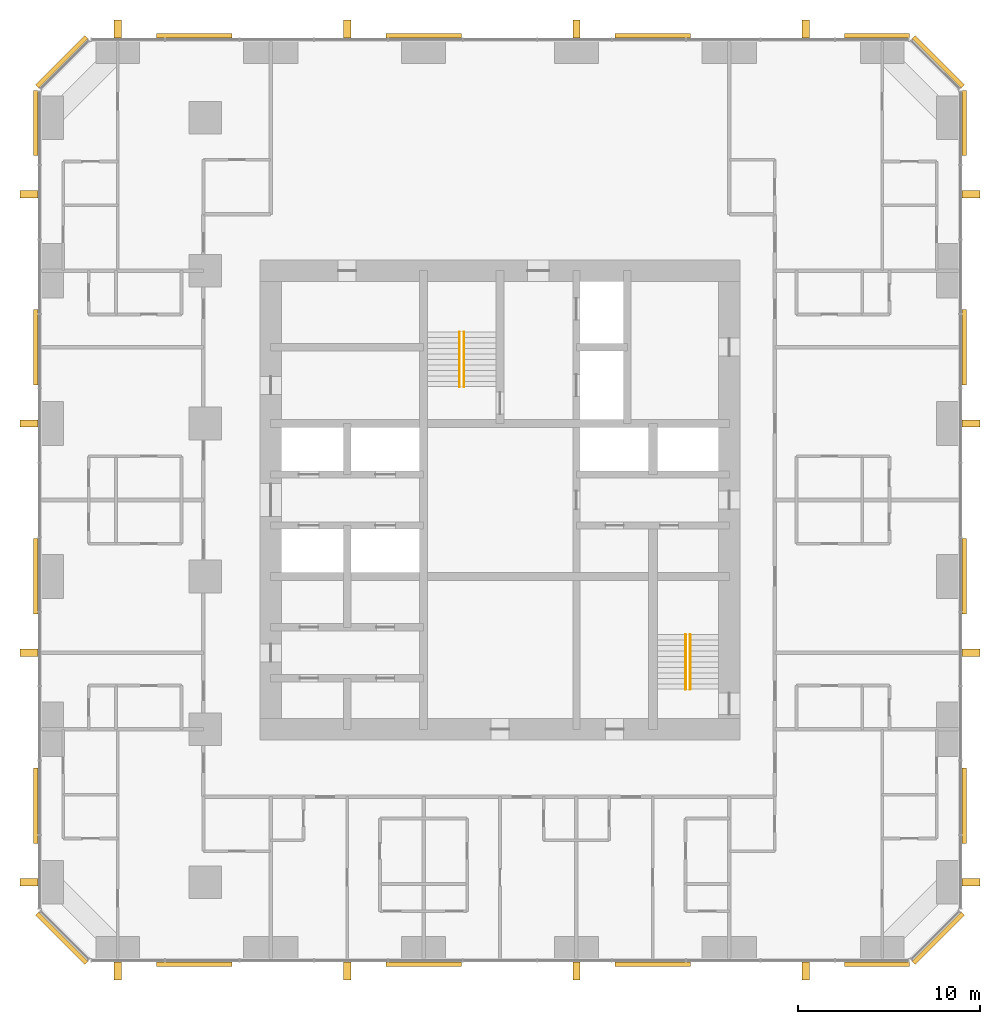
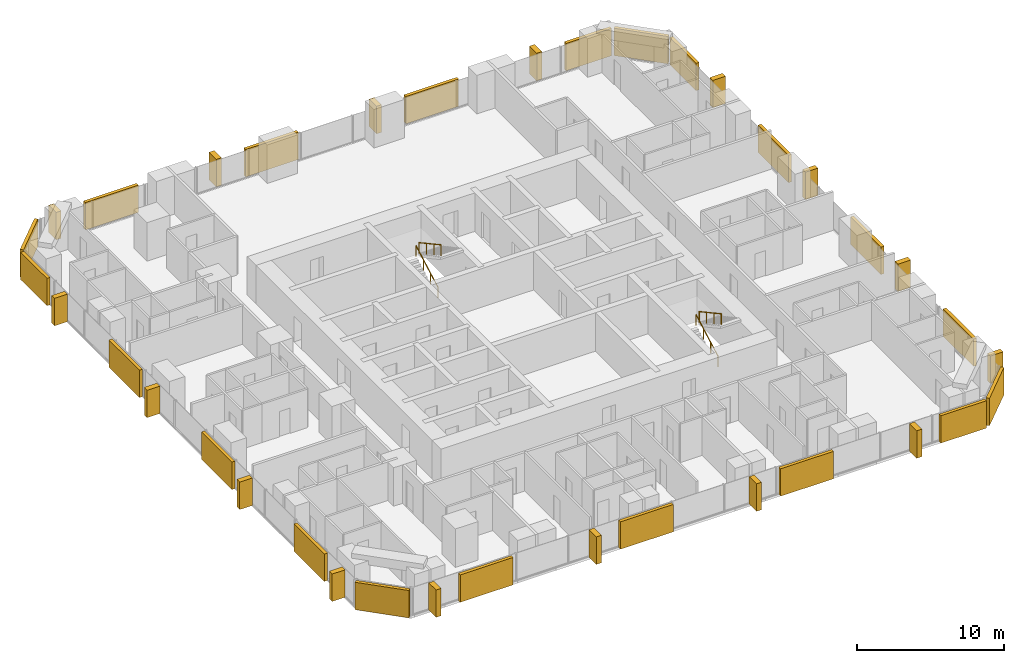
# One storey, part 13 of 13: 20 coverings, 16 shading devices, 4 railings.
"""IFC4 building model written with IfcOpenShell, lengths in metres."""

from ifc_helpers import new_model, si_unit, direction, frame, origin, origin_2d, place, context, subcontext, project, spatial, rectangle, circle, extrude, material, layer, layer_set, type_object, element, save


model = new_model("IFC4")

# Units and contexts
model_context = context("Model", 3, precision=1e-05, world=origin(), true_north=direction((0.0, 1.0)))
body_context = subcontext(model_context, "Body", "Model", "MODEL_VIEW")
ifc_project = project(units=[si_unit("LENGTHUNIT", "METRE"), si_unit("AREAUNIT", "SQUARE_METRE"), si_unit("VOLUMEUNIT", "CUBIC_METRE"), si_unit("PLANEANGLEUNIT", "RADIAN"), si_unit("MASSUNIT", "GRAM", prefix="KILO")], contexts=[model_context])

# Site, building, storey
site_placement = place(None, origin())
site = spatial("IfcSite", under=ifc_project, at=site_placement, CompositionType="ELEMENT")
building_placement = place(site_placement, origin())
building = spatial("IfcBuilding", under=site, at=building_placement, Name="Dunama Terrace Hotel", CompositionType="ELEMENT")
storey_placement = place(building_placement, frame((0.0, 0.0, 216.60009765625)))
storey = spatial("IfcBuildingStorey", under=building, at=storey_placement, Name="L56", CompositionType="ELEMENT", Elevation=216.60009765625)

# Railings
ifc_material_1 = material(Name="Stainless steel handrail", Category="steel")
railing_type = type_object("IfcRailingType", Name="Stair handrail 900", PredefinedType="HANDRAIL", material=ifc_material_1)
railing_1_placement = place(storey_placement, frame((27.175048828125, 35.625, 0.16357421875)))
element("IfcRailing", 1, at=railing_1_placement, inside=storey, type_object=railing_type, Name="Handrail ST1 L56", PredefinedType="HANDRAIL", context=body_context, shape_type="SweptSolid", body=[
    extrude(circle(Radius=0.02392578125, at=origin_2d()), frame((0.0, 0.0, 0.8759765625), z_axis=(0.0, 0.877911954615, 0.47882209634), x_axis=(-1.0, 0.0, 0.0)), (0.0, 0.0, 1.0), 3.417236328125),
    extrude(circle(Radius=0.02099609375, at=origin_2d()), origin(), (0.0, 0.0, 1.0), 0.851806640625),
    extrude(circle(Radius=0.02099609375, at=origin_2d()), frame((0.0, 1.0, 0.54541015625)), (0.0, 0.0, 1.0), 0.851806640625),
    extrude(circle(Radius=0.02099609375, at=origin_2d()), frame((0.0, 2.0, 1.0908203125)), (0.0, 0.0, 1.0), 0.851806640625),
    extrude(circle(Radius=0.02099609375, at=origin_2d()), frame((0.0, 3.0, 1.63623046875)), (0.0, 0.0, 1.0), 0.851806640625),
])
railing_2_placement = place(storey_placement, frame((27.425048828125, 38.625, 1.963623046875)))
element("IfcRailing", 2, at=railing_2_placement, inside=storey, type_object=railing_type, Name="Handrail ST1 L56", PredefinedType="HANDRAIL", context=body_context, shape_type="SweptSolid", body=[
    extrude(circle(Radius=0.02392578125, at=origin_2d()), frame((0.0, 0.0, 0.8759765625), z_axis=(0.0, -0.877911954615, 0.47882209634), x_axis=(1.0, 0.0, 0.0)), (0.0, 0.0, 1.0), 3.417236328125),
    extrude(circle(Radius=0.02099609375, at=origin_2d()), origin(), (0.0, 0.0, 1.0), 0.851806640625),
    extrude(circle(Radius=0.02099609375, at=origin_2d()), frame((0.0, -1.0, 0.54541015625)), (0.0, 0.0, 1.0), 0.851806640625),
    extrude(circle(Radius=0.02099609375, at=origin_2d()), frame((0.0, -2.0, 1.0908203125)), (0.0, 0.0, 1.0), 0.851806640625),
    extrude(circle(Radius=0.02099609375, at=origin_2d()), frame((0.0, -3.0, 1.63623046875)), (0.0, 0.0, 1.0), 0.851806640625),
])
railing_3_placement = place(storey_placement, frame((39.60009765625, 19.0, 0.16357421875)))
element("IfcRailing", 3, at=railing_3_placement, inside=storey, type_object=railing_type, Name="Handrail ST2 L56", PredefinedType="HANDRAIL", context=body_context, shape_type="SweptSolid", body=[
    extrude(circle(Radius=0.02392578125, at=origin_2d()), frame((0.0, 0.0, 0.8759765625), z_axis=(0.0, 0.877911954615, 0.47882209634), x_axis=(-1.0, 0.0, 0.0)), (0.0, 0.0, 1.0), 3.417236328125),
    extrude(circle(Radius=0.02099609375, at=origin_2d()), origin(), (0.0, 0.0, 1.0), 0.851806640625),
    extrude(circle(Radius=0.02099609375, at=origin_2d()), frame((0.0, 1.0, 0.54541015625)), (0.0, 0.0, 1.0), 0.851806640625),
    extrude(circle(Radius=0.02099609375, at=origin_2d()), frame((0.0, 2.0, 1.0908203125)), (0.0, 0.0, 1.0), 0.851806640625),
    extrude(circle(Radius=0.02099609375, at=origin_2d()), frame((0.0, 3.0, 1.63623046875)), (0.0, 0.0, 1.0), 0.851806640625),
])
railing_4_placement = place(storey_placement, frame((39.85009765625, 22.0, 1.963623046875)))
element("IfcRailing", 4, at=railing_4_placement, inside=storey, type_object=railing_type, Name="Handrail ST2 L56", PredefinedType="HANDRAIL", context=body_context, shape_type="SweptSolid", body=[
    extrude(circle(Radius=0.02392578125, at=origin_2d()), frame((0.0, 0.0, 0.8759765625), z_axis=(0.0, -0.877911954615, 0.47882209634), x_axis=(1.0, 0.0, 0.0)), (0.0, 0.0, 1.0), 3.417236328125),
    extrude(circle(Radius=0.02099609375, at=origin_2d()), origin(), (0.0, 0.0, 1.0), 0.851806640625),
    extrude(circle(Radius=0.02099609375, at=origin_2d()), frame((0.0, -1.0, 0.54541015625)), (0.0, 0.0, 1.0), 0.851806640625),
    extrude(circle(Radius=0.02099609375, at=origin_2d()), frame((0.0, -2.0, 1.0908203125)), (0.0, 0.0, 1.0), 0.851806640625),
    extrude(circle(Radius=0.02099609375, at=origin_2d()), frame((0.0, -3.0, 1.63623046875)), (0.0, 0.0, 1.0), 0.851806640625),
])

# Coverings
ifc_material_2 = material(Name="Warm reconstituted stone panel", Category="masonry")
ifc_layer_1 = layer(ifc_material_2, 0.25)
ifc_layer_set_1 = layer_set([ifc_layer_1], Name="Stone diagonal panel")
covering_type = type_object("IfcCoveringType", Name="Stone diagonal panel", PredefinedType="CLADDING", material=ifc_layer_set_1)
for number, where, z_axis, x_axis, name in (
    (5, (12.60009765625, 3.876953125, 0.001953125), (0.0, 0.0, 1.0), (1.0, 0.0, 0.0), "Stone diagonal panel L56"),
    (6, (25.199951171875, 3.876953125, 0.001953125), (0.0, 0.0, 1.0), (1.0, 0.0, 0.0), "Stone diagonal panel L56"),
    (7, (37.800048828125, 3.876953125, 0.001953125), (0.0, 0.0, 1.0), (1.0, 0.0, 0.0), "Stone diagonal panel L56"),
):
    element("IfcCovering", number, at=place(storey_placement, frame(where, z_axis=z_axis, x_axis=x_axis)), inside=storey, type_object=covering_type, Name=name, PredefinedType="CLADDING", context=body_context, shape_type="SweptSolid", body=[
        extrude(rectangle(XDim=4.14990234375, YDim=0.25, at=origin_2d()), origin(), (0.0, 0.0, 1.0), 2.27490234375),
    ])
covering_1_placement = place(storey_placement, frame((50.110107421875, 3.876953125, 0.001953125), z_axis=(0.0, 0.0, 1.0), x_axis=(1.0, 0.0, 0.0)))
element("IfcCovering", 8, at=covering_1_placement, inside=storey, type_object=covering_type, Name="Stone diagonal panel L56", PredefinedType="CLADDING", context=body_context, shape_type="SweptSolid", body=[
    extrude(rectangle(XDim=3.570068359375, YDim=0.25, at=origin_2d()), origin(), (0.0, 0.0, 1.0), 2.27490234375),
])
covering_2_placement = place(storey_placement, frame((53.47900390625, 5.321044921875, 0.001953125), z_axis=(0.0, 0.0, 1.0), x_axis=(0.707106781187, 0.707106781187, 0.0)))
element("IfcCovering", 9, at=covering_2_placement, inside=storey, type_object=covering_type, Name="Stone diagonal panel L56", PredefinedType="CLADDING", context=body_context, shape_type="SweptSolid", body=[
    extrude(rectangle(XDim=3.808349609375, YDim=0.25, at=origin_2d()), origin(), (0.0, 0.0, 1.0), 2.27490234375),
])
for number, where, z_axis, x_axis, name in (
    (10, (54.923095703125, 12.60009765625, 0.001953125), (0.0, 0.0, 1.0), (0.0, 1.0, 0.0), "Stone diagonal panel L56"),
    (11, (54.923095703125, 25.199951171875, 0.001953125), (0.0, 0.0, 1.0), (0.0, 1.0, 0.0), "Stone diagonal panel L56"),
    (12, (54.923095703125, 37.800048828125, 0.001953125), (0.0, 0.0, 1.0), (0.0, 1.0, 0.0), "Stone diagonal panel L56"),
):
    element("IfcCovering", number, at=place(storey_placement, frame(where, z_axis=z_axis, x_axis=x_axis)), inside=storey, type_object=covering_type, Name=name, PredefinedType="CLADDING", context=body_context, shape_type="SweptSolid", body=[
        extrude(rectangle(XDim=4.14990234375, YDim=0.25, at=origin_2d()), origin(), (0.0, 0.0, 1.0), 2.27490234375),
    ])
covering_3_placement = place(storey_placement, frame((54.923095703125, 50.110107421875, 0.001953125), z_axis=(0.0, 0.0, 1.0), x_axis=(0.0, 1.0, 0.0)))
element("IfcCovering", 13, at=covering_3_placement, inside=storey, type_object=covering_type, Name="Stone diagonal panel L56", PredefinedType="CLADDING", context=body_context, shape_type="SweptSolid", body=[
    extrude(rectangle(XDim=3.570068359375, YDim=0.25, at=origin_2d()), origin(), (0.0, 0.0, 1.0), 2.27490234375),
])
covering_4_placement = place(storey_placement, frame((53.47900390625, 53.47900390625, 0.001953125), z_axis=(0.0, 0.0, 1.0), x_axis=(-0.707106781187, 0.707106781187, 0.0)))
element("IfcCovering", 14, at=covering_4_placement, inside=storey, type_object=covering_type, Name="Stone diagonal panel L56", PredefinedType="CLADDING", context=body_context, shape_type="SweptSolid", body=[
    extrude(rectangle(XDim=3.808349609375, YDim=0.25, at=origin_2d()), origin(), (0.0, 0.0, 1.0), 2.27490234375),
])
covering_5_placement = place(storey_placement, frame((50.110107421875, 54.923095703125, 0.001953125), z_axis=(0.0, 0.0, 1.0), x_axis=(-1.0, 0.0, 0.0)))
element("IfcCovering", 15, at=covering_5_placement, inside=storey, type_object=covering_type, Name="Stone diagonal panel L56", PredefinedType="CLADDING", context=body_context, shape_type="SweptSolid", body=[
    extrude(rectangle(XDim=3.570068359375, YDim=0.25, at=origin_2d()), origin(), (0.0, 0.0, 1.0), 2.27490234375),
])
for number, where, z_axis, x_axis, name in (
    (16, (37.800048828125, 54.923095703125, 0.001953125), (0.0, 0.0, 1.0), (-1.0, 0.0, 0.0), "Stone diagonal panel L56"),
    (17, (25.199951171875, 54.923095703125, 0.001953125), (0.0, 0.0, 1.0), (-1.0, 0.0, 0.0), "Stone diagonal panel L56"),
    (18, (12.60009765625, 54.923095703125, 0.001953125), (0.0, 0.0, 1.0), (-1.0, 0.0, 0.0), "Stone diagonal panel L56"),
):
    element("IfcCovering", number, at=place(storey_placement, frame(where, z_axis=z_axis, x_axis=x_axis)), inside=storey, type_object=covering_type, Name=name, PredefinedType="CLADDING", context=body_context, shape_type="SweptSolid", body=[
        extrude(rectangle(XDim=4.14990234375, YDim=0.25, at=origin_2d()), origin(), (0.0, 0.0, 1.0), 2.27490234375),
    ])
covering_6_placement = place(storey_placement, frame((5.321044921875, 53.47900390625, 0.001953125), z_axis=(0.0, 0.0, 1.0), x_axis=(-0.707106781187, -0.707106781187, 0.0)))
element("IfcCovering", 19, at=covering_6_placement, inside=storey, type_object=covering_type, Name="Stone diagonal panel L56", PredefinedType="CLADDING", context=body_context, shape_type="SweptSolid", body=[
    extrude(rectangle(XDim=3.808349609375, YDim=0.25, at=origin_2d()), origin(), (0.0, 0.0, 1.0), 2.27490234375),
])
covering_7_placement = place(storey_placement, frame((3.876953125, 50.110107421875, 0.001953125), z_axis=(0.0, 0.0, 1.0), x_axis=(0.0, -1.0, 0.0)))
element("IfcCovering", 20, at=covering_7_placement, inside=storey, type_object=covering_type, Name="Stone diagonal panel L56", PredefinedType="CLADDING", context=body_context, shape_type="SweptSolid", body=[
    extrude(rectangle(XDim=3.570068359375, YDim=0.25, at=origin_2d()), origin(), (0.0, 0.0, 1.0), 2.27490234375),
])
for number, where, z_axis, x_axis, name in (
    (21, (3.876953125, 37.800048828125, 0.001953125), (0.0, 0.0, 1.0), (0.0, -1.0, 0.0), "Stone diagonal panel L56"),
    (22, (3.876953125, 25.199951171875, 0.001953125), (0.0, 0.0, 1.0), (0.0, -1.0, 0.0), "Stone diagonal panel L56"),
    (23, (3.876953125, 12.60009765625, 0.001953125), (0.0, 0.0, 1.0), (0.0, -1.0, 0.0), "Stone diagonal panel L56"),
):
    element("IfcCovering", number, at=place(storey_placement, frame(where, z_axis=z_axis, x_axis=x_axis)), inside=storey, type_object=covering_type, Name=name, PredefinedType="CLADDING", context=body_context, shape_type="SweptSolid", body=[
        extrude(rectangle(XDim=4.14990234375, YDim=0.25, at=origin_2d()), origin(), (0.0, 0.0, 1.0), 2.27490234375),
    ])
covering_8_placement = place(storey_placement, frame((5.321044921875, 5.321044921875, 0.001953125), z_axis=(0.0, 0.0, 1.0), x_axis=(0.707106781187, -0.707106781187, 0.0)))
element("IfcCovering", 24, at=covering_8_placement, inside=storey, type_object=covering_type, Name="Stone diagonal panel L56", PredefinedType="CLADDING", context=body_context, shape_type="SweptSolid", body=[
    extrude(rectangle(XDim=3.808349609375, YDim=0.25, at=origin_2d()), origin(), (0.0, 0.0, 1.0), 2.27490234375),
])

# Shading devices
ifc_material_3 = material(Name="Warm reconstituted stone fin", Category="masonry")
ifc_layer_2 = layer(ifc_material_3, 0.39990234375)
ifc_layer_set_2 = layer_set([ifc_layer_2], Name="Warm stone fin 400x1000")
shading_device_type = type_object("IfcShadingDeviceType", Name="Warm stone fin 400x1000", PredefinedType="USERDEFINED", material=ifc_layer_set_2)
for number, where, z_axis, x_axis, name in (
    (25, (8.39990234375, 3.52197265625, 0.0), (0.0, 0.0, 1.0), (1.0, 0.0, 0.0), "Stone fin"),
    (26, (21.0, 3.52197265625, 0.0), (0.0, 0.0, 1.0), (1.0, 0.0, 0.0), "Stone fin"),
    (27, (33.60009765625, 3.52197265625, 0.0), (0.0, 0.0, 1.0), (1.0, 0.0, 0.0), "Stone fin"),
    (28, (46.199951171875, 3.52197265625, 0.0), (0.0, 0.0, 1.0), (1.0, 0.0, 0.0), "Stone fin"),
    (29, (55.278076171875, 8.39990234375, 0.0), (0.0, 0.0, 1.0), (0.0, 1.0, 0.0), "Stone fin"),
    (30, (55.278076171875, 21.0, 0.0), (0.0, 0.0, 1.0), (0.0, 1.0, 0.0), "Stone fin"),
    (31, (55.278076171875, 33.60009765625, 0.0), (0.0, 0.0, 1.0), (0.0, 1.0, 0.0), "Stone fin"),
    (32, (55.278076171875, 46.199951171875, 0.0), (0.0, 0.0, 1.0), (0.0, 1.0, 0.0), "Stone fin"),
    (33, (46.199951171875, 55.278076171875, 0.0), (0.0, 0.0, 1.0), (-1.0, 0.0, 0.0), "Stone fin"),
    (34, (33.60009765625, 55.278076171875, 0.0), (0.0, 0.0, 1.0), (-1.0, 0.0, 0.0), "Stone fin"),
    (35, (21.0, 55.278076171875, 0.0), (0.0, 0.0, 1.0), (-1.0, 0.0, 0.0), "Stone fin"),
    (36, (8.39990234375, 55.278076171875, 0.0), (0.0, 0.0, 1.0), (-1.0, 0.0, 0.0), "Stone fin"),
    (37, (3.52197265625, 46.199951171875, 0.0), (0.0, 0.0, 1.0), (0.0, -1.0, 0.0), "Stone fin"),
    (38, (3.52197265625, 33.60009765625, 0.0), (0.0, 0.0, 1.0), (0.0, -1.0, 0.0), "Stone fin"),
    (39, (3.52197265625, 21.0, 0.0), (0.0, 0.0, 1.0), (0.0, -1.0, 0.0), "Stone fin"),
    (40, (3.52197265625, 8.39990234375, 0.0), (0.0, 0.0, 1.0), (0.0, -1.0, 0.0), "Stone fin"),
):
    element("IfcShadingDevice", number, at=place(storey_placement, frame(where, z_axis=z_axis, x_axis=x_axis)), inside=storey, type_object=shading_device_type, Name=name, ObjectType="FIN", PredefinedType="USERDEFINED", context=body_context, shape_type="SweptSolid", body=[
        extrude(rectangle(XDim=0.39990234375, YDim=1.0, at=origin_2d()), origin(), (0.0, 0.0, 1.0), 2.279052734375),
    ])

save(model, "model.ifc")
